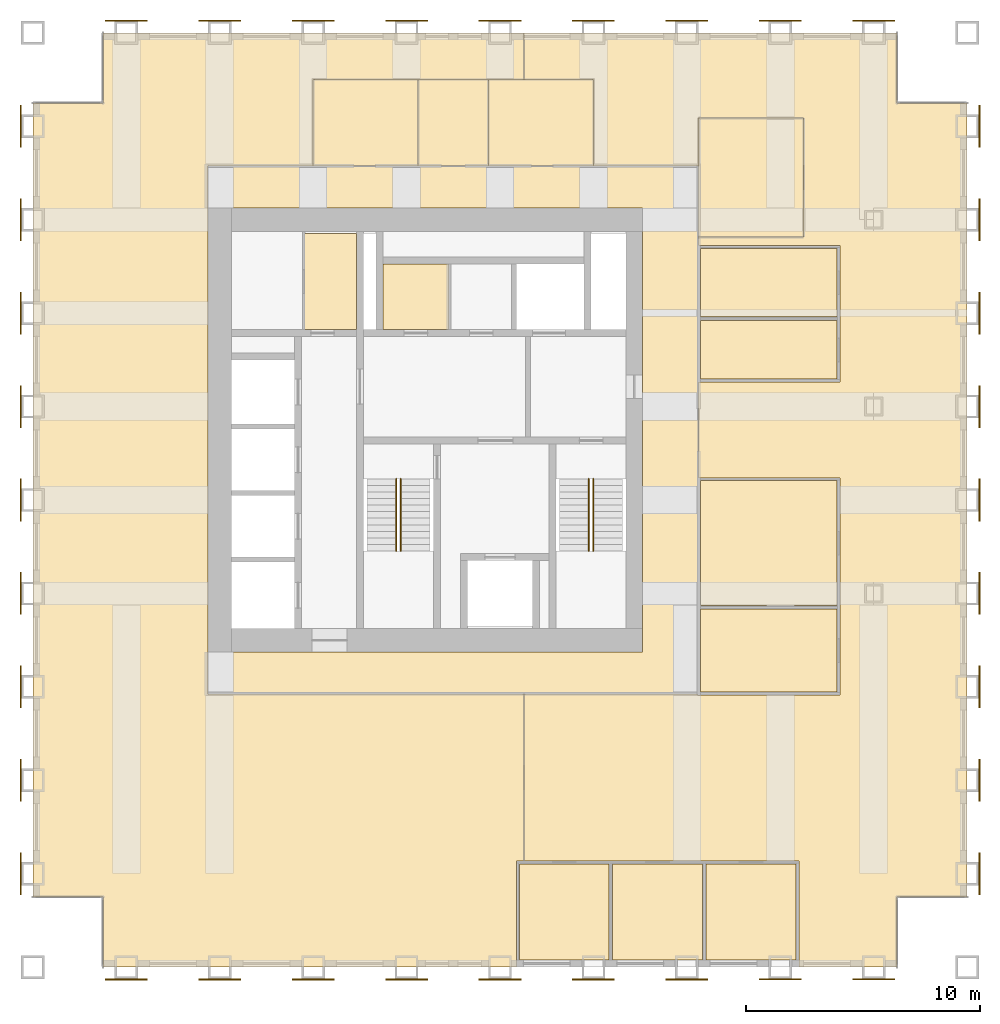
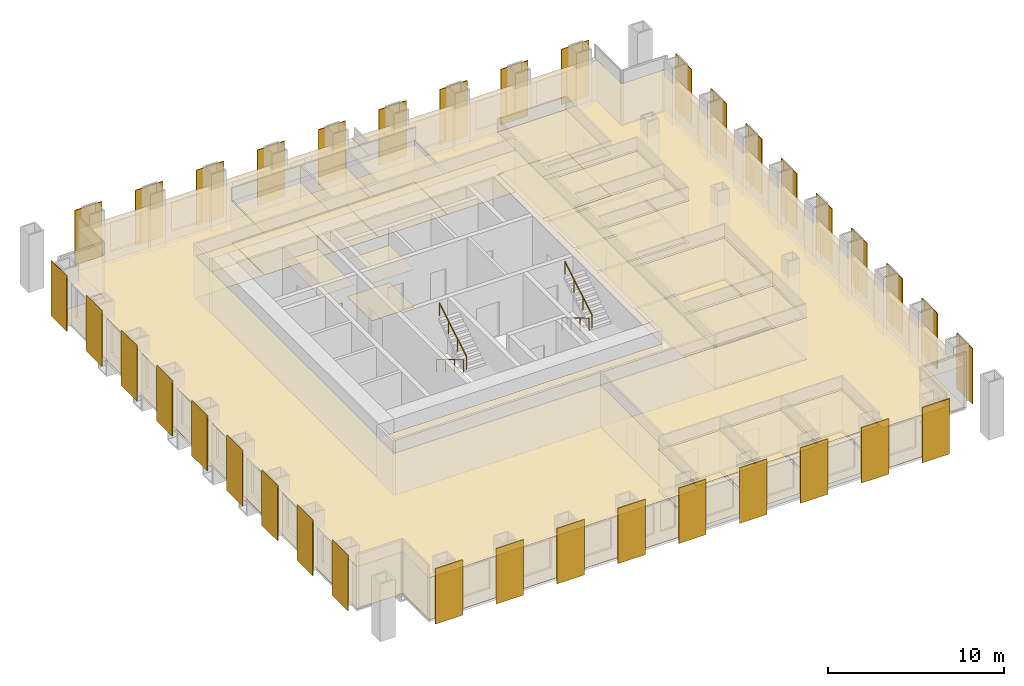
# One storey, part 11 of 11: 36 shading devices, 30 coverings, 4 railings.
"""IFC4 building model written with IfcOpenShell, lengths in metres."""

from ifc_helpers import new_model, si_unit, direction, frame, origin, origin_2d, place, context, subcontext, project, spatial, polyline, rectangle, circle, outline, extrude, material, layer, layer_set, type_object, element, save


model = new_model("IFC4")

# Units and contexts
model_context = context("Model", 3, precision=1e-05, world=origin(), true_north=direction((0.0, 1.0)))
body_context = subcontext(model_context, "Body", "Model", "MODEL_VIEW")
ifc_project = project(units=[si_unit("LENGTHUNIT", "METRE"), si_unit("AREAUNIT", "SQUARE_METRE"), si_unit("VOLUMEUNIT", "CUBIC_METRE"), si_unit("PLANEANGLEUNIT", "RADIAN"), si_unit("MASSUNIT", "GRAM", prefix="KILO")], contexts=[model_context])

# Site, building, storey
site_placement = place(None, origin())
site = spatial("IfcSite", under=ifc_project, at=site_placement, CompositionType="ELEMENT")
building_placement = place(site_placement, origin())
building = spatial("IfcBuilding", under=site, at=building_placement, Name="Rimbunsela Tower", CompositionType="ELEMENT")
storey_placement = place(building_placement, frame((0.0, 0.0, 242.199951171875)))
storey = spatial("IfcBuildingStorey", under=building, at=storey_placement, Name="L58", CompositionType="ELEMENT", Elevation=242.199951171875)

# Coverings
ifc_material_1 = material(Name="Nylon carpet tile", Category="textile")
ifc_layer_1 = layer(ifc_material_1, 0.010009765625)
ifc_layer_set_1 = layer_set([ifc_layer_1], Name="Carpet tile 10")
covering_type_1 = type_object("IfcCoveringType", Name="Carpet tile 10", PredefinedType="FLOORING", material=ifc_layer_set_1)
covering_1_placement = place(storey_placement, origin())
element("IfcCovering", 1, at=covering_1_placement, inside=storey, type_object=covering_type_1, Name="Floor finish Open office", PredefinedType="FLOORING", context=body_context, shape_type="SweptSolid", body=[
    extrude(outline(polyline([(31.02490234375, 44.0), (38.5, 44.0), (47.0, 44.0), (47.0, 41.0), (50.0, 41.0), (50.0, 7.0), (47.0, 7.0), (47.0, 4.0), (42.800048828125, 4.0), (42.800048828125, 8.550048828125), (38.800048828125, 8.550048828125), (38.699951171875, 8.550048828125), (38.5, 8.550048828125), (34.800048828125, 8.550048828125), (34.699951171875, 8.550048828125), (31.02490234375, 8.550048828125), (31.02490234375, 15.699951171875), (38.449951171875, 15.699951171875), (38.449951171875, 15.64990234375), (38.5, 15.64990234375), (44.550048828125, 15.64990234375), (44.550048828125, 19.35009765625), (44.550048828125, 19.449951171875), (44.550048828125, 24.949951171875), (38.5, 24.949951171875), (38.5, 29.050048828125), (44.550048828125, 29.050048828125), (44.550048828125, 31.699951171875), (44.550048828125, 31.800048828125), (44.550048828125, 34.89990234375), (38.5, 34.89990234375), (38.5, 35.25), (43.0, 35.25), (43.0, 40.35009765625), (38.5, 40.35009765625), (38.5, 38.300048828125), (34.0, 38.300048828125), (34.0, 42.0), (31.02490234375, 42.0), (31.02490234375, 44.0)])), origin(), (0.0, 0.0, 1.0), 0.010009765625),
])
covering_2_placement = place(storey_placement, origin())
element("IfcCovering", 2, at=covering_2_placement, inside=storey, type_object=covering_type_1, Name="Floor finish Open office", PredefinedType="FLOORING", context=body_context, shape_type="SweptSolid", body=[
    extrude(outline(polyline([(30.699951171875, 4.0), (17.5, 4.0), (13.0, 4.0), (13.0, 7.0), (10.0, 7.0), (10.0, 41.0), (13.0, 41.0), (13.0, 44.0), (17.5, 44.0), (31.02490234375, 44.0), (31.02490234375, 42.0), (22.0, 42.0), (22.0, 38.300048828125), (17.5, 38.300048828125), (17.5, 36.5), (17.5, 17.5), (17.5, 15.699951171875), (31.02490234375, 15.699951171875), (31.02490234375, 8.550048828125), (30.699951171875, 8.550048828125), (30.699951171875, 4.0)])), origin(), (0.0, 0.0, 1.0), 0.010009765625),
])
covering_3_placement = place(storey_placement, origin())
element("IfcCovering", 3, at=covering_3_placement, inside=storey, type_object=covering_type_1, Name="Floor finish Reception", PredefinedType="FLOORING", context=body_context, shape_type="SweptSolid", body=[
    extrude(outline(polyline([(43.0, 35.25), (43.0, 40.35009765625), (38.5, 40.35009765625), (38.5, 35.25), (43.0, 35.25)])), origin(), (0.0, 0.0, 1.0), 0.010009765625),
])
covering_4_placement = place(storey_placement, origin())
element("IfcCovering", 4, at=covering_4_placement, inside=storey, type_object=covering_type_1, Name="Floor finish Executive office", PredefinedType="FLOORING", context=body_context, shape_type="SweptSolid", body=[
    extrude(outline(polyline([(34.675048828125, 4.300048828125), (34.675048828125, 8.425048828125), (30.824951171875, 8.425048828125), (30.824951171875, 4.300048828125), (34.675048828125, 4.300048828125)])), origin(), (0.0, 0.0, 1.0), 0.010009765625),
])
covering_5_placement = place(storey_placement, origin())
element("IfcCovering", 5, at=covering_5_placement, inside=storey, type_object=covering_type_1, Name="Floor finish Executive office", PredefinedType="FLOORING", context=body_context, shape_type="SweptSolid", body=[
    extrude(outline(polyline([(38.675048828125, 4.300048828125), (38.675048828125, 8.425048828125), (34.824951171875, 8.425048828125), (34.824951171875, 4.300048828125), (38.675048828125, 4.300048828125)])), origin(), (0.0, 0.0, 1.0), 0.010009765625),
])
covering_6_placement = place(storey_placement, origin())
element("IfcCovering", 6, at=covering_6_placement, inside=storey, type_object=covering_type_1, Name="Floor finish Executive office", PredefinedType="FLOORING", context=body_context, shape_type="SweptSolid", body=[
    extrude(outline(polyline([(42.675048828125, 4.300048828125), (42.675048828125, 8.425048828125), (38.824951171875, 8.425048828125), (38.824951171875, 4.300048828125), (42.675048828125, 4.300048828125)])), origin(), (0.0, 0.0, 1.0), 0.010009765625),
])
covering_7_placement = place(storey_placement, origin())
element("IfcCovering", 7, at=covering_7_placement, inside=storey, type_object=covering_type_1, Name="Floor finish Meeting room", PredefinedType="FLOORING", context=body_context, shape_type="SweptSolid", body=[
    extrude(outline(polyline([(44.425048828125, 15.77490234375), (44.425048828125, 19.324951171875), (38.574951171875, 19.324951171875), (38.574951171875, 15.77490234375), (44.425048828125, 15.77490234375)])), origin(), (0.0, 0.0, 1.0), 0.010009765625),
])
covering_8_placement = place(storey_placement, origin())
element("IfcCovering", 8, at=covering_8_placement, inside=storey, type_object=covering_type_1, Name="Floor finish Pantry", PredefinedType="FLOORING", context=body_context, shape_type="SweptSolid", body=[
    extrude(outline(polyline([(44.425048828125, 19.47509765625), (44.425048828125, 24.824951171875), (38.574951171875, 24.824951171875), (38.574951171875, 19.47509765625), (44.425048828125, 19.47509765625)])), origin(), (0.0, 0.0, 1.0), 0.010009765625),
])
covering_9_placement = place(storey_placement, origin())
element("IfcCovering", 9, at=covering_9_placement, inside=storey, type_object=covering_type_1, Name="Floor finish Print and copy room", PredefinedType="FLOORING", context=body_context, shape_type="SweptSolid", body=[
    extrude(outline(polyline([(44.425048828125, 29.175048828125), (44.425048828125, 31.675048828125), (38.574951171875, 31.675048828125), (38.574951171875, 29.175048828125), (44.425048828125, 29.175048828125)])), origin(), (0.0, 0.0, 1.0), 0.010009765625),
])
covering_10_placement = place(storey_placement, origin())
element("IfcCovering", 10, at=covering_10_placement, inside=storey, type_object=covering_type_1, Name="Floor finish Office", PredefinedType="FLOORING", context=body_context, shape_type="SweptSolid", body=[
    extrude(outline(polyline([(44.425048828125, 31.824951171875), (44.425048828125, 34.77490234375), (38.574951171875, 34.77490234375), (38.574951171875, 31.824951171875), (44.425048828125, 31.824951171875)])), origin(), (0.0, 0.0, 1.0), 0.010009765625),
])
ifc_material_2 = material(Name="Mineral fibre ceiling tile", Category="gypsum")
ifc_layer_2 = layer(ifc_material_2, 0.02001953125)
ifc_layer_set_2 = layer_set([ifc_layer_2], Name="Ceiling 600 grid")
covering_type_2 = type_object("IfcCoveringType", Name="Ceiling 600 grid", PredefinedType="CEILING", material=ifc_layer_set_2)
covering_11_placement = place(storey_placement, frame((0.0, 0.0, 2.900146484375)))
element("IfcCovering", 11, at=covering_11_placement, inside=storey, type_object=covering_type_2, Name="Ceiling Staff pantry", PredefinedType="CEILING", context=body_context, shape_type="SweptSolid", body=[
    extrude(outline(polyline([(23.85009765625, 31.300048828125), (23.85009765625, 35.39990234375), (21.60009765625, 35.39990234375), (21.60009765625, 31.300048828125), (23.85009765625, 31.300048828125)])), origin(), (0.0, 0.0, 1.0), 0.02001953125),
])
covering_12_placement = place(storey_placement, frame((0.0, 0.0, 2.900146484375)))
element("IfcCovering", 12, at=covering_12_placement, inside=storey, type_object=covering_type_2, Name="Ceiling U-shaped corridor", PredefinedType="CEILING", context=body_context, shape_type="SweptSolid", body=[
    extrude(outline(polyline([(38.5, 38.300048828125), (38.5, 15.699951171875), (17.5, 15.699951171875), (17.5, 17.5), (36.10009765625, 17.5), (36.10009765625, 36.5), (17.5, 36.5), (17.5, 38.300048828125), (38.5, 38.300048828125)])), origin(), (0.0, 0.0, 1.0), 0.02001953125),
])
covering_13_placement = place(storey_placement, frame((0.0, 0.0, 2.900146484375)))
element("IfcCovering", 13, at=covering_13_placement, inside=storey, type_object=covering_type_2, Name="Ceiling Open office", PredefinedType="CEILING", context=body_context, shape_type="SweptSolid", body=[
    extrude(outline(polyline([(31.02490234375, 44.0), (38.5, 44.0), (47.0, 44.0), (47.0, 41.0), (50.0, 41.0), (50.0, 7.0), (47.0, 7.0), (47.0, 4.0), (42.800048828125, 4.0), (42.800048828125, 8.550048828125), (38.800048828125, 8.550048828125), (38.699951171875, 8.550048828125), (38.5, 8.550048828125), (34.800048828125, 8.550048828125), (34.699951171875, 8.550048828125), (31.02490234375, 8.550048828125), (31.02490234375, 15.699951171875), (38.449951171875, 15.699951171875), (38.449951171875, 15.64990234375), (38.5, 15.64990234375), (44.550048828125, 15.64990234375), (44.550048828125, 19.35009765625), (44.550048828125, 19.449951171875), (44.550048828125, 24.949951171875), (38.5, 24.949951171875), (38.5, 29.050048828125), (44.550048828125, 29.050048828125), (44.550048828125, 31.699951171875), (44.550048828125, 31.800048828125), (44.550048828125, 34.89990234375), (38.5, 34.89990234375), (38.5, 35.25), (43.0, 35.25), (43.0, 40.35009765625), (38.5, 40.35009765625), (38.5, 38.300048828125), (34.0, 38.300048828125), (34.0, 42.0), (31.02490234375, 42.0), (31.02490234375, 44.0)])), origin(), (0.0, 0.0, 1.0), 0.02001953125),
])
covering_14_placement = place(storey_placement, frame((0.0, 0.0, 2.900146484375)))
element("IfcCovering", 14, at=covering_14_placement, inside=storey, type_object=covering_type_2, Name="Ceiling Open office", PredefinedType="CEILING", context=body_context, shape_type="SweptSolid", body=[
    extrude(outline(polyline([(30.699951171875, 4.0), (17.5, 4.0), (13.0, 4.0), (13.0, 7.0), (10.0, 7.0), (10.0, 41.0), (13.0, 41.0), (13.0, 44.0), (17.5, 44.0), (31.02490234375, 44.0), (31.02490234375, 42.0), (22.0, 42.0), (22.0, 38.300048828125), (17.5, 38.300048828125), (17.5, 36.5), (17.5, 17.5), (17.5, 15.699951171875), (31.02490234375, 15.699951171875), (31.02490234375, 8.550048828125), (30.699951171875, 8.550048828125), (30.699951171875, 4.0)])), origin(), (0.0, 0.0, 1.0), 0.02001953125),
])
covering_15_placement = place(storey_placement, frame((0.0, 0.0, 2.900146484375)))
element("IfcCovering", 15, at=covering_15_placement, inside=storey, type_object=covering_type_2, Name="Ceiling Reception", PredefinedType="CEILING", context=body_context, shape_type="SweptSolid", body=[
    extrude(outline(polyline([(43.0, 35.25), (43.0, 40.35009765625), (38.5, 40.35009765625), (38.5, 35.25), (43.0, 35.25)])), origin(), (0.0, 0.0, 1.0), 0.02001953125),
])
covering_16_placement = place(storey_placement, frame((0.0, 0.0, 2.900146484375)))
element("IfcCovering", 16, at=covering_16_placement, inside=storey, type_object=covering_type_2, Name="Ceiling Executive office", PredefinedType="CEILING", context=body_context, shape_type="SweptSolid", body=[
    extrude(outline(polyline([(34.675048828125, 4.300048828125), (34.675048828125, 8.425048828125), (30.824951171875, 8.425048828125), (30.824951171875, 4.300048828125), (34.675048828125, 4.300048828125)])), origin(), (0.0, 0.0, 1.0), 0.02001953125),
])
covering_17_placement = place(storey_placement, frame((0.0, 0.0, 2.900146484375)))
element("IfcCovering", 17, at=covering_17_placement, inside=storey, type_object=covering_type_2, Name="Ceiling Executive office", PredefinedType="CEILING", context=body_context, shape_type="SweptSolid", body=[
    extrude(outline(polyline([(38.675048828125, 4.300048828125), (38.675048828125, 8.425048828125), (34.824951171875, 8.425048828125), (34.824951171875, 4.300048828125), (38.675048828125, 4.300048828125)])), origin(), (0.0, 0.0, 1.0), 0.02001953125),
])
covering_18_placement = place(storey_placement, frame((0.0, 0.0, 2.900146484375)))
element("IfcCovering", 18, at=covering_18_placement, inside=storey, type_object=covering_type_2, Name="Ceiling Executive office", PredefinedType="CEILING", context=body_context, shape_type="SweptSolid", body=[
    extrude(outline(polyline([(42.675048828125, 4.300048828125), (42.675048828125, 8.425048828125), (38.824951171875, 8.425048828125), (38.824951171875, 4.300048828125), (42.675048828125, 4.300048828125)])), origin(), (0.0, 0.0, 1.0), 0.02001953125),
])
covering_19_placement = place(storey_placement, frame((0.0, 0.0, 2.900146484375)))
element("IfcCovering", 19, at=covering_19_placement, inside=storey, type_object=covering_type_2, Name="Ceiling Meeting room", PredefinedType="CEILING", context=body_context, shape_type="SweptSolid", body=[
    extrude(outline(polyline([(44.425048828125, 15.77490234375), (44.425048828125, 19.324951171875), (38.574951171875, 19.324951171875), (38.574951171875, 15.77490234375), (44.425048828125, 15.77490234375)])), origin(), (0.0, 0.0, 1.0), 0.02001953125),
])
covering_20_placement = place(storey_placement, frame((0.0, 0.0, 2.900146484375)))
element("IfcCovering", 20, at=covering_20_placement, inside=storey, type_object=covering_type_2, Name="Ceiling Pantry", PredefinedType="CEILING", context=body_context, shape_type="SweptSolid", body=[
    extrude(outline(polyline([(44.425048828125, 19.47509765625), (44.425048828125, 24.824951171875), (38.574951171875, 24.824951171875), (38.574951171875, 19.47509765625), (44.425048828125, 19.47509765625)])), origin(), (0.0, 0.0, 1.0), 0.02001953125),
])
covering_21_placement = place(storey_placement, frame((0.0, 0.0, 2.900146484375)))
element("IfcCovering", 21, at=covering_21_placement, inside=storey, type_object=covering_type_2, Name="Ceiling Print and copy room", PredefinedType="CEILING", context=body_context, shape_type="SweptSolid", body=[
    extrude(outline(polyline([(44.425048828125, 29.175048828125), (44.425048828125, 31.675048828125), (38.574951171875, 31.675048828125), (38.574951171875, 29.175048828125), (44.425048828125, 29.175048828125)])), origin(), (0.0, 0.0, 1.0), 0.02001953125),
])
covering_22_placement = place(storey_placement, frame((0.0, 0.0, 2.900146484375)))
element("IfcCovering", 22, at=covering_22_placement, inside=storey, type_object=covering_type_2, Name="Ceiling Office", PredefinedType="CEILING", context=body_context, shape_type="SweptSolid", body=[
    extrude(outline(polyline([(44.425048828125, 31.824951171875), (44.425048828125, 34.77490234375), (38.574951171875, 34.77490234375), (38.574951171875, 31.824951171875), (44.425048828125, 31.824951171875)])), origin(), (0.0, 0.0, 1.0), 0.02001953125),
])
ifc_material_3 = material(Name="Moisture-resistant plasterboard ceiling", Category="gypsum")
ifc_layer_3 = layer(ifc_material_3, 0.012451171875)
ifc_layer_set_3 = layer_set([ifc_layer_3], Name="Ceiling moisture-resistant board")
covering_type_3 = type_object("IfcCoveringType", Name="Ceiling moisture-resistant board", PredefinedType="CEILING", material=ifc_layer_set_3)
covering_23_placement = place(storey_placement, frame((0.0, 0.0, 2.60009765625)))
element("IfcCovering", 23, at=covering_23_placement, inside=storey, type_object=covering_type_3, Name="Ceiling Staff WC", PredefinedType="CEILING", context=body_context, shape_type="SweptSolid", body=[
    extrude(outline(polyline([(27.800048828125, 31.300048828125), (27.800048828125, 34.10009765625), (25.0, 34.10009765625), (25.0, 31.300048828125), (27.800048828125, 31.300048828125)])), origin(), (0.0, 0.0, 1.0), 0.02001953125),
])
covering_24_placement = place(storey_placement, frame((0.0, 0.0, 2.60009765625)))
element("IfcCovering", 24, at=covering_24_placement, inside=storey, type_object=covering_type_3, Name="Ceiling Female WC", PredefinedType="CEILING", context=body_context, shape_type="SweptSolid", body=[
    extrude(outline(polyline([(26.5, 38.300048828125), (26.5, 42.0), (22.0, 42.0), (22.0, 38.300048828125), (26.5, 38.300048828125)])), origin(), (0.0, 0.0, 1.0), 0.02001953125),
])
covering_25_placement = place(storey_placement, frame((0.0, 0.0, 2.60009765625)))
element("IfcCovering", 25, at=covering_25_placement, inside=storey, type_object=covering_type_3, Name="Ceiling Accessible WC", PredefinedType="CEILING", context=body_context, shape_type="SweptSolid", body=[
    extrude(outline(polyline([(29.5, 38.300048828125), (29.5, 42.0), (26.5, 42.0), (26.5, 38.300048828125), (29.5, 38.300048828125)])), origin(), (0.0, 0.0, 1.0), 0.02001953125),
])
covering_26_placement = place(storey_placement, frame((0.0, 0.0, 2.60009765625)))
element("IfcCovering", 26, at=covering_26_placement, inside=storey, type_object=covering_type_3, Name="Ceiling Male WC", PredefinedType="CEILING", context=body_context, shape_type="SweptSolid", body=[
    extrude(outline(polyline([(34.0, 38.300048828125), (34.0, 42.0), (29.5, 42.0), (29.5, 38.300048828125), (34.0, 38.300048828125)])), origin(), (0.0, 0.0, 1.0), 0.02001953125),
])
ifc_material_4 = material(Name="Porcelain floor tile in adhesive bed", Category="ceramic")
ifc_layer_4 = layer(ifc_material_4, 0.02001953125)
ifc_layer_set_4 = layer_set([ifc_layer_4], Name="Porcelain tile 20")
covering_type_4 = type_object("IfcCoveringType", Name="Porcelain tile 20", PredefinedType="FLOORING", material=ifc_layer_set_4)
covering_27_placement = place(storey_placement, origin())
element("IfcCovering", 27, at=covering_27_placement, inside=storey, type_object=covering_type_4, Name="Floor finish Staff WC", PredefinedType="FLOORING", context=body_context, shape_type="SweptSolid", body=[
    extrude(outline(polyline([(27.800048828125, 31.300048828125), (27.800048828125, 34.10009765625), (25.0, 34.10009765625), (25.0, 31.300048828125), (27.800048828125, 31.300048828125)])), origin(), (0.0, 0.0, 1.0), 0.02001953125),
])
covering_28_placement = place(storey_placement, origin())
element("IfcCovering", 28, at=covering_28_placement, inside=storey, type_object=covering_type_4, Name="Floor finish Female WC", PredefinedType="FLOORING", context=body_context, shape_type="SweptSolid", body=[
    extrude(outline(polyline([(26.5, 38.300048828125), (26.5, 42.0), (22.0, 42.0), (22.0, 38.300048828125), (26.5, 38.300048828125)])), origin(), (0.0, 0.0, 1.0), 0.02001953125),
])
covering_29_placement = place(storey_placement, origin())
element("IfcCovering", 29, at=covering_29_placement, inside=storey, type_object=covering_type_4, Name="Floor finish Accessible WC", PredefinedType="FLOORING", context=body_context, shape_type="SweptSolid", body=[
    extrude(outline(polyline([(29.5, 38.300048828125), (29.5, 42.0), (26.5, 42.0), (26.5, 38.300048828125), (29.5, 38.300048828125)])), origin(), (0.0, 0.0, 1.0), 0.02001953125),
])
covering_30_placement = place(storey_placement, origin())
element("IfcCovering", 30, at=covering_30_placement, inside=storey, type_object=covering_type_4, Name="Floor finish Male WC", PredefinedType="FLOORING", context=body_context, shape_type="SweptSolid", body=[
    extrude(outline(polyline([(34.0, 38.300048828125), (34.0, 42.0), (29.5, 42.0), (29.5, 38.300048828125), (34.0, 38.300048828125)])), origin(), (0.0, 0.0, 1.0), 0.02001953125),
])

# Shading devices
ifc_material_5 = material(Name="Perforated aluminium, 35 % open area", Category="aluminium")
ifc_layer_5 = layer(ifc_material_5, 0.050048828125)
ifc_layer_set_5 = layer_set([ifc_layer_5], Name="Solar screen panel 1800")
shading_device_type = type_object("IfcShadingDeviceType", Name="Solar screen panel 1800", PredefinedType="USERDEFINED", material=ifc_layer_set_5)
for number, where, z_axis, x_axis, name in (
    (31, (14.0, 3.47509765625, 0.0), (0.0, 0.0, 1.0), (1.0, 0.0, 0.0), "Solar screen S L58"),
    (32, (18.0, 3.47509765625, 0.0), (0.0, 0.0, 1.0), (1.0, 0.0, 0.0), "Solar screen S L58"),
    (33, (22.0, 3.47509765625, 0.0), (0.0, 0.0, 1.0), (1.0, 0.0, 0.0), "Solar screen S L58"),
    (34, (26.0, 3.47509765625, 0.0), (0.0, 0.0, 1.0), (1.0, 0.0, 0.0), "Solar screen S L58"),
    (35, (30.0, 3.47509765625, 0.0), (0.0, 0.0, 1.0), (1.0, 0.0, 0.0), "Solar screen S L58"),
    (36, (34.0, 3.47509765625, 0.0), (0.0, 0.0, 1.0), (1.0, 0.0, 0.0), "Solar screen S L58"),
    (37, (38.0, 3.47509765625, 0.0), (0.0, 0.0, 1.0), (1.0, 0.0, 0.0), "Solar screen S L58"),
    (38, (42.0, 3.47509765625, 0.0), (0.0, 0.0, 1.0), (1.0, 0.0, 0.0), "Solar screen S L58"),
    (39, (46.0, 3.47509765625, 0.0), (0.0, 0.0, 1.0), (1.0, 0.0, 0.0), "Solar screen S L58"),
    (40, (50.52490234375, 8.0, 0.0), (0.0, 0.0, 1.0), (0.0, 1.0, 0.0), "Solar screen E L58"),
    (41, (50.52490234375, 12.0, 0.0), (0.0, 0.0, 1.0), (0.0, 1.0, 0.0), "Solar screen E L58"),
    (42, (50.52490234375, 16.0, 0.0), (0.0, 0.0, 1.0), (0.0, 1.0, 0.0), "Solar screen E L58"),
    (43, (50.52490234375, 20.0, 0.0), (0.0, 0.0, 1.0), (0.0, 1.0, 0.0), "Solar screen E L58"),
    (44, (50.52490234375, 24.0, 0.0), (0.0, 0.0, 1.0), (0.0, 1.0, 0.0), "Solar screen E L58"),
    (45, (50.52490234375, 28.0, 0.0), (0.0, 0.0, 1.0), (0.0, 1.0, 0.0), "Solar screen E L58"),
    (46, (50.52490234375, 32.0, 0.0), (0.0, 0.0, 1.0), (0.0, 1.0, 0.0), "Solar screen E L58"),
    (47, (50.52490234375, 36.0, 0.0), (0.0, 0.0, 1.0), (0.0, 1.0, 0.0), "Solar screen E L58"),
    (48, (50.52490234375, 40.0, 0.0), (0.0, 0.0, 1.0), (0.0, 1.0, 0.0), "Solar screen E L58"),
    (49, (14.0, 44.52490234375, 0.0), (0.0, 0.0, 1.0), (1.0, 0.0, 0.0), "Solar screen N L58"),
    (50, (18.0, 44.52490234375, 0.0), (0.0, 0.0, 1.0), (1.0, 0.0, 0.0), "Solar screen N L58"),
    (51, (22.0, 44.52490234375, 0.0), (0.0, 0.0, 1.0), (1.0, 0.0, 0.0), "Solar screen N L58"),
    (52, (26.0, 44.52490234375, 0.0), (0.0, 0.0, 1.0), (1.0, 0.0, 0.0), "Solar screen N L58"),
    (53, (30.0, 44.52490234375, 0.0), (0.0, 0.0, 1.0), (1.0, 0.0, 0.0), "Solar screen N L58"),
    (54, (34.0, 44.52490234375, 0.0), (0.0, 0.0, 1.0), (1.0, 0.0, 0.0), "Solar screen N L58"),
    (55, (38.0, 44.52490234375, 0.0), (0.0, 0.0, 1.0), (1.0, 0.0, 0.0), "Solar screen N L58"),
    (56, (42.0, 44.52490234375, 0.0), (0.0, 0.0, 1.0), (1.0, 0.0, 0.0), "Solar screen N L58"),
    (57, (46.0, 44.52490234375, 0.0), (0.0, 0.0, 1.0), (1.0, 0.0, 0.0), "Solar screen N L58"),
    (58, (9.47509765625, 8.0, 0.0), (0.0, 0.0, 1.0), (0.0, 1.0, 0.0), "Solar screen W L58"),
    (59, (9.47509765625, 12.0, 0.0), (0.0, 0.0, 1.0), (0.0, 1.0, 0.0), "Solar screen W L58"),
    (60, (9.47509765625, 16.0, 0.0), (0.0, 0.0, 1.0), (0.0, 1.0, 0.0), "Solar screen W L58"),
    (61, (9.47509765625, 20.0, 0.0), (0.0, 0.0, 1.0), (0.0, 1.0, 0.0), "Solar screen W L58"),
    (62, (9.47509765625, 24.0, 0.0), (0.0, 0.0, 1.0), (0.0, 1.0, 0.0), "Solar screen W L58"),
    (63, (9.47509765625, 28.0, 0.0), (0.0, 0.0, 1.0), (0.0, 1.0, 0.0), "Solar screen W L58"),
    (64, (9.47509765625, 32.0, 0.0), (0.0, 0.0, 1.0), (0.0, 1.0, 0.0), "Solar screen W L58"),
    (65, (9.47509765625, 36.0, 0.0), (0.0, 0.0, 1.0), (0.0, 1.0, 0.0), "Solar screen W L58"),
    (66, (9.47509765625, 40.0, 0.0), (0.0, 0.0, 1.0), (0.0, 1.0, 0.0), "Solar screen W L58"),
):
    element("IfcShadingDevice", number, at=place(storey_placement, frame(where, z_axis=z_axis, x_axis=x_axis)), inside=storey, type_object=shading_device_type, Name=name, ObjectType="SCREEN", PredefinedType="USERDEFINED", context=body_context, shape_type="SweptSolid", body=[
        extrude(rectangle(XDim=1.800048828125, YDim=0.050048828125, at=origin_2d()), origin(), (0.0, 0.0, 1.0), 3.85009765625),
    ])

# Railings
ifc_material_6 = material(Name="Stainless steel tube", Category="steel")
railing_type = type_object("IfcRailingType", Name="Stair handrail 900", PredefinedType="HANDRAIL", material=ifc_material_6)
railing_1_placement = place(storey_placement, frame((25.550048828125, 24.89990234375, 0.166748046875)))
element("IfcRailing", 67, at=railing_1_placement, inside=storey, type_object=railing_type, Name="Handrail ST-A flight 1", PredefinedType="HANDRAIL", context=body_context, shape_type="SweptSolid", body=[
    extrude(circle(Radius=0.02392578125, at=origin_2d()), frame((0.0, 0.0, 0.8759765625), z_axis=(0.0, -0.859290745958, 0.51148745235), x_axis=(1.0, 0.0, 0.0)), (0.0, 0.0, 1.0), 3.584228515625),
    extrude(circle(Radius=0.02099609375, at=origin_2d()), origin(), (0.0, 0.0, 1.0), 0.851806640625),
    extrude(circle(Radius=0.02099609375, at=origin_2d()), frame((0.0, -1.026611328125, 0.611083984375)), (0.0, 0.0, 1.0), 0.851806640625),
    extrude(circle(Radius=0.02099609375, at=origin_2d()), frame((0.0, -2.05322265625, 1.22216796875)), (0.0, 0.0, 1.0), 0.851806640625),
    extrude(circle(Radius=0.02099609375, at=origin_2d()), frame((0.0, -3.079833984375, 1.833251953125)), (0.0, 0.0, 1.0), 0.851806640625),
])
railing_2_placement = place(storey_placement, frame((25.75, 21.820068359375, 2.166748046875)))
element("IfcRailing", 68, at=railing_2_placement, inside=storey, type_object=railing_type, Name="Handrail ST-A flight 2", PredefinedType="HANDRAIL", context=body_context, shape_type="SweptSolid", body=[
    extrude(circle(Radius=0.02392578125, at=origin_2d()), frame((0.0, 0.0, 0.8759765625), z_axis=(0.0, 0.859290745958, 0.51148745235), x_axis=(-1.0, 0.0, 0.0)), (0.0, 0.0, 1.0), 3.584228515625),
    extrude(circle(Radius=0.02099609375, at=origin_2d()), origin(), (0.0, 0.0, 1.0), 0.851806640625),
    extrude(circle(Radius=0.02099609375, at=origin_2d()), frame((0.0, 1.026611328125, 0.611083984375)), (0.0, 0.0, 1.0), 0.851806640625),
    extrude(circle(Radius=0.02099609375, at=origin_2d()), frame((0.0, 2.05322265625, 1.22216796875)), (0.0, 0.0, 1.0), 0.851806640625),
    extrude(circle(Radius=0.02099609375, at=origin_2d()), frame((0.0, 3.079833984375, 1.833251953125)), (0.0, 0.0, 1.0), 0.851806640625),
])
railing_3_placement = place(storey_placement, frame((33.800048828125, 24.89990234375, 0.166748046875)))
element("IfcRailing", 69, at=railing_3_placement, inside=storey, type_object=railing_type, Name="Handrail ST-B flight 1", PredefinedType="HANDRAIL", context=body_context, shape_type="SweptSolid", body=[
    extrude(circle(Radius=0.02392578125, at=origin_2d()), frame((0.0, 0.0, 0.8759765625), z_axis=(0.0, -0.859290745958, 0.51148745235), x_axis=(1.0, 0.0, 0.0)), (0.0, 0.0, 1.0), 3.584228515625),
    extrude(circle(Radius=0.02099609375, at=origin_2d()), origin(), (0.0, 0.0, 1.0), 0.851806640625),
    extrude(circle(Radius=0.02099609375, at=origin_2d()), frame((0.0, -1.026611328125, 0.611083984375)), (0.0, 0.0, 1.0), 0.851806640625),
    extrude(circle(Radius=0.02099609375, at=origin_2d()), frame((0.0, -2.05322265625, 1.22216796875)), (0.0, 0.0, 1.0), 0.851806640625),
    extrude(circle(Radius=0.02099609375, at=origin_2d()), frame((0.0, -3.079833984375, 1.833251953125)), (0.0, 0.0, 1.0), 0.851806640625),
])
railing_4_placement = place(storey_placement, frame((34.0, 21.820068359375, 2.166748046875)))
element("IfcRailing", 70, at=railing_4_placement, inside=storey, type_object=railing_type, Name="Handrail ST-B flight 2", PredefinedType="HANDRAIL", context=body_context, shape_type="SweptSolid", body=[
    extrude(circle(Radius=0.02392578125, at=origin_2d()), frame((0.0, 0.0, 0.8759765625), z_axis=(0.0, 0.859290745958, 0.51148745235), x_axis=(-1.0, 0.0, 0.0)), (0.0, 0.0, 1.0), 3.584228515625),
    extrude(circle(Radius=0.02099609375, at=origin_2d()), origin(), (0.0, 0.0, 1.0), 0.851806640625),
    extrude(circle(Radius=0.02099609375, at=origin_2d()), frame((0.0, 1.026611328125, 0.611083984375)), (0.0, 0.0, 1.0), 0.851806640625),
    extrude(circle(Radius=0.02099609375, at=origin_2d()), frame((0.0, 2.05322265625, 1.22216796875)), (0.0, 0.0, 1.0), 0.851806640625),
    extrude(circle(Radius=0.02099609375, at=origin_2d()), frame((0.0, 3.079833984375, 1.833251953125)), (0.0, 0.0, 1.0), 0.851806640625),
])

save(model, "model.ifc")
